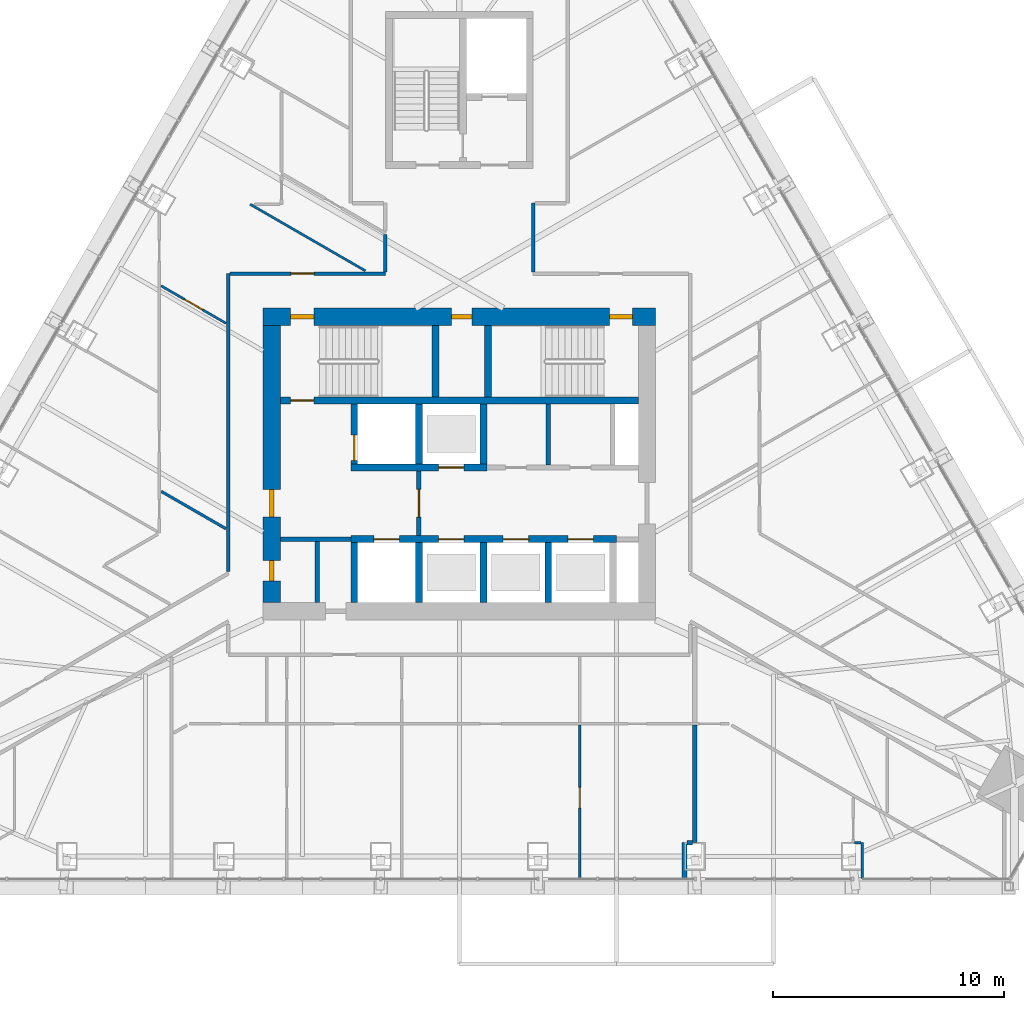
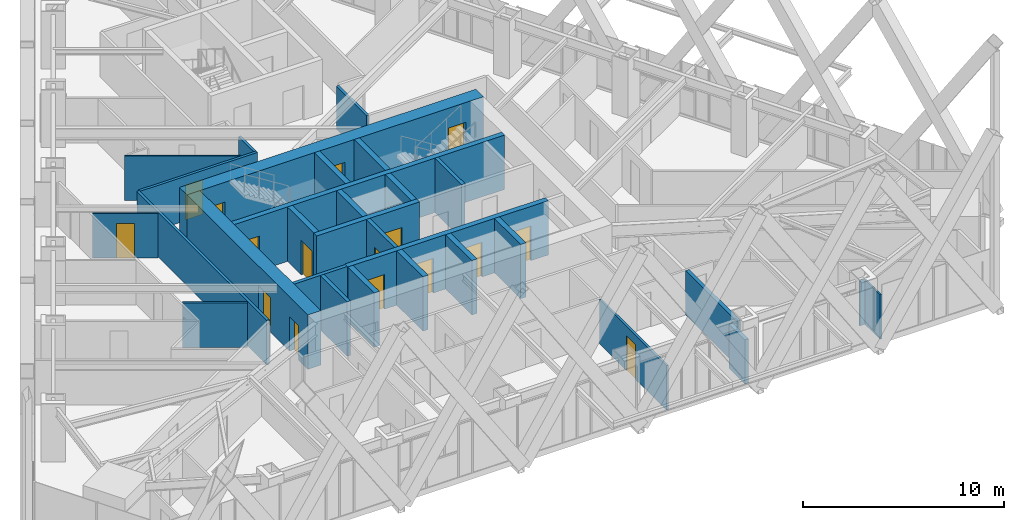
# One storey, part 19 of 24: 31 walls, 16 doors, 16 openings.
"""IFC4 building model written with IfcOpenShell, lengths in metres."""

from ifc_helpers import new_model, si_unit, direction, frame, frame_2d, origin, place, context, subcontext, project, spatial, rectangle, extrude, material, layer, layer_set, type_object, element, fill, save


model = new_model("IFC4")

# Units and contexts
model_context = context("Model", 3, precision=1e-05, world=origin(), true_north=direction((0.0, 1.0)))
body_context = subcontext(model_context, "Body", "Model", "MODEL_VIEW")
ifc_project = project(units=[si_unit("LENGTHUNIT", "METRE"), si_unit("AREAUNIT", "SQUARE_METRE"), si_unit("VOLUMEUNIT", "CUBIC_METRE"), si_unit("PLANEANGLEUNIT", "RADIAN"), si_unit("MASSUNIT", "GRAM", prefix="KILO")], contexts=[model_context])

# Site, building, storey
site_placement = place(None, origin())
site = spatial("IfcSite", under=ifc_project, at=site_placement, CompositionType="ELEMENT")
building_placement = place(site_placement, origin())
building = spatial("IfcBuilding", under=site, at=building_placement, Name="Firuza Gate Tower and Library", CompositionType="ELEMENT")
storey_placement = place(building_placement, frame((0.0, 0.0, 260.10009765625)))
storey = spatial("IfcBuildingStorey", under=building, at=storey_placement, Name="L61", CompositionType="ELEMENT", Elevation=260.10009765625)

# Walls
ifc_material_1 = material(Name="Plasterboard on steel studs", Category="steel")
ifc_layer_1 = layer(ifc_material_1, 0.199951171875)
ifc_layer_set_1 = layer_set([ifc_layer_1], Name="Core partition 200 EI 120")
wall_type_1 = type_object("IfcWallType", Name="Core partition 200 EI 120", PredefinedType="PARTITIONING", material=ifc_layer_set_1)
wall_1_placement = place(storey_placement, frame((67.25, 71.75, 0.0), z_axis=(0.0, 0.0, 1.0), x_axis=(1.0, 0.0, 0.0)))
element("IfcWall", 1, at=wall_1_placement, inside=storey, type_object=wall_type_1, Name="Core partition L61 1", PredefinedType="PARTITIONING", context=body_context, shape_type="SweptSolid", body=[
    extrude(rectangle(XDim=3.050048828125, YDim=0.199951171875, at=frame_2d((1.52490234375, 0.0))), origin(), (0.0, 0.0, 1.0), 3.2998046875),
])
wall_2_placement = place(storey_placement, frame((68.85009765625, 69.0, 0.0), z_axis=(0.0, 0.0, 1.0), x_axis=(0.0, 1.0, 0.0)))
element("IfcWall", 2, at=wall_2_placement, inside=storey, type_object=wall_type_1, Name="Core partition L61 4", PredefinedType="PARTITIONING", context=body_context, shape_type="SweptSolid", body=[
    extrude(rectangle(XDim=2.64990234375, YDim=0.199951171875, at=frame_2d((1.324951171875, 0.0))), origin(), (0.0, 0.0, 1.0), 3.2998046875),
])
wall_3_placement = place(storey_placement, frame((78.85009765625, 74.949951171875, 0.0), z_axis=(0.0, 0.0, 1.0), x_axis=(0.0, 1.0, 0.0)))
element("IfcWall", 3, at=wall_3_placement, inside=storey, type_object=wall_type_1, Name="Core partition L61 6", PredefinedType="PARTITIONING", context=body_context, shape_type="SweptSolid", body=[
    extrude(rectangle(XDim=2.650146484375, YDim=0.199951171875, at=frame_2d((1.3251953125, 0.0))), origin(), (0.0, 0.0, 1.0), 3.2998046875),
])

# Wall, opening, door
ifc_material_2 = material(Name="Plasterboard on steel studs", Category="steel")
ifc_layer_2 = layer(ifc_material_2, 0.199951171875)
ifc_layer_set_2 = layer_set([ifc_layer_2], Name="Core partition 200 EI 60")
wall_type_2 = type_object("IfcWallType", Name="Core partition 200 EI 60", PredefinedType="PARTITIONING", material=ifc_layer_set_2)
wall_4_placement = place(storey_placement, frame((73.25, 71.89990234375, 0.0), z_axis=(0.0, 0.0, 1.0), x_axis=(0.0, 1.0, 0.0)))
wall_4 = element("IfcWall", 4, at=wall_4_placement, inside=storey, type_object=wall_type_2, Name="Core partition L61 5", PredefinedType="PARTITIONING", context=body_context, shape_type="SweptSolid", body=[
    extrude(rectangle(XDim=2.800048828125, YDim=0.199951171875, at=frame_2d((1.39990234375, 0.0))), origin(), (0.0, 0.0, 1.0), 3.2998046875),
])
opening_1_placement = place(wall_4_placement, frame((0.800048828125, 0.0, 0.0)))
opening_1 = element("IfcOpeningElement", 5, at=opening_1_placement, cuts=wall_4, Name="Opening L61-K14", PredefinedType="OPENING", context=body_context, shape_type="SweptSolid", body=[
    extrude(rectangle(XDim=1.199951171875, YDim=2.10009765625, at=frame_2d((0.60009765625, 1.050048828125))), frame((0.0, 0.10986328125, 0.0), z_axis=(0.0, -1.0, 0.0), x_axis=(1.0, 0.0, 0.0)), (0.0, 0.0, 1.0), 0.219970703125),
])
ifc_material_3 = material(Name="Steel", Category="steel")
door_type_1 = type_object("IfcDoorType", Name="Fire door 1200x2100 FD90S", OperationType="NOTDEFINED", PredefinedType="DOOR", material=ifc_material_3)
door_1_placement = place(opening_1_placement, origin())
door_1 = element("IfcDoor", 6, at=door_1_placement, inside=storey, type_object=door_type_1, Name="Door L61-K14", OperationType="SINGLE_SWING_LEFT", OverallHeight=2.10009765625, OverallWidth=1.199951171875, PredefinedType="DOOR", context=body_context, shape_type="SweptSolid", body=[
    extrude(rectangle(XDim=1.199951171875, YDim=2.10009765625, at=frame_2d((0.60009765625, 1.050048828125))), frame((0.0, 0.02490234375, 0.0), z_axis=(0.0, -1.0, 0.0), x_axis=(1.0, 0.0, 0.0)), (0.0, 0.0, 1.0), 0.050048828125),
])
fill(opening_1, door_1)

# Wall, openings, doors
ifc_material_4 = material(Name="Concrete C60/75", Category="concrete")
ifc_layer_3 = layer(ifc_material_4, 0.300048828125)
ifc_layer_set_3 = layer_set([ifc_layer_3], Name="Core wall 300 C60/75")
wall_type_3 = type_object("IfcWallType", Name="Core wall 300 C60/75", PredefinedType="SHEAR", material=ifc_layer_set_3)
wall_5_placement = place(storey_placement, frame((70.300048828125, 71.75, 0.0), z_axis=(0.0, 0.0, 1.0), x_axis=(1.0, 0.0, 0.0)))
wall_5 = element("IfcWall", 7, at=wall_5_placement, inside=storey, type_object=wall_type_3, Name="Core wall L61 5", PredefinedType="SHEAR", context=body_context, shape_type="SweptSolid", body=[
    extrude(rectangle(XDim=11.5, YDim=0.300048828125, at=frame_2d((5.75, 0.0))), origin(), (0.0, 0.0, 1.0), 3.2998046875),
])
opening_2_placement = place(wall_5_placement, frame((1.0, 0.0, 0.0)))
opening_2 = element("IfcOpeningElement", 8, at=opening_2_placement, cuts=wall_5, Name="Opening LD-FF1-L61", PredefinedType="OPENING", context=body_context, shape_type="SweptSolid", body=[
    extrude(rectangle(XDim=1.10009765625, YDim=2.10009765625, at=frame_2d((0.550048828125, 1.050048828125))), frame((0.0, 0.16015625, 0.0), z_axis=(0.0, -1.0, 0.0), x_axis=(1.0, 0.0, 0.0)), (0.0, 0.0, 1.0), 0.320068359375),
])
opening_3_placement = place(wall_5_placement, frame((3.800048828125, 0.0, 0.0)))
opening_3 = element("IfcOpeningElement", 9, at=opening_3_placement, cuts=wall_5, Name="Opening LD-HR1-L61", PredefinedType="OPENING", context=body_context, shape_type="SweptSolid", body=[
    extrude(rectangle(XDim=1.10009765625, YDim=2.10009765625, at=frame_2d((0.550048828125, 1.050048828125))), frame((0.0, 0.16015625, 0.0), z_axis=(0.0, -1.0, 0.0), x_axis=(1.0, 0.0, 0.0)), (0.0, 0.0, 1.0), 0.320068359375),
])
opening_4_placement = place(wall_5_placement, frame((6.60009765625, 0.0, 0.0)))
opening_4 = element("IfcOpeningElement", 10, at=opening_4_placement, cuts=wall_5, Name="Opening LD-HR2-L61", PredefinedType="OPENING", context=body_context, shape_type="SweptSolid", body=[
    extrude(rectangle(XDim=1.10009765625, YDim=2.10009765625, at=frame_2d((0.550048828125, 1.050048828125))), frame((0.0, 0.16015625, 0.0), z_axis=(0.0, -1.0, 0.0), x_axis=(1.0, 0.0, 0.0)), (0.0, 0.0, 1.0), 0.320068359375),
])
opening_5_placement = place(wall_5_placement, frame((9.39990234375, 0.0, 0.0)))
opening_5 = element("IfcOpeningElement", 11, at=opening_5_placement, cuts=wall_5, Name="Opening LD-HR3-L61", PredefinedType="OPENING", context=body_context, shape_type="SweptSolid", body=[
    extrude(rectangle(XDim=1.10009765625, YDim=2.10009765625, at=frame_2d((0.550048828125, 1.050048828125))), frame((0.0, 0.16015625, 0.0), z_axis=(0.0, -1.0, 0.0), x_axis=(1.0, 0.0, 0.0)), (0.0, 0.0, 1.0), 0.320068359375),
])
ifc_material_5 = material(Name="Stainless steel", Category="steel")
door_type_2 = type_object("IfcDoorType", Name="Lift landing door 1100x2100", OperationType="DOUBLE_DOOR_SLIDING", PredefinedType="DOOR", material=ifc_material_5)
door_2_placement = place(opening_2_placement, origin())
door_2 = element("IfcDoor", 12, at=door_2_placement, inside=storey, type_object=door_type_2, Name="Landing door FF1 L61", OperationType="DOUBLE_DOOR_SLIDING", OverallHeight=2.10009765625, OverallWidth=1.10009765625, PredefinedType="DOOR", context=body_context, shape_type="SweptSolid", body=[
    extrude(rectangle(XDim=1.10009765625, YDim=2.10009765625, at=frame_2d((0.550048828125, 1.050048828125))), frame((0.0, 0.02490234375, 0.0), z_axis=(0.0, -1.0, 0.0), x_axis=(1.0, 0.0, 0.0)), (0.0, 0.0, 1.0), 0.050048828125),
])
fill(opening_2, door_2)
door_3_placement = place(opening_3_placement, origin())
door_3 = element("IfcDoor", 13, at=door_3_placement, inside=storey, type_object=door_type_2, Name="Landing door HR1 L61", OperationType="DOUBLE_DOOR_SLIDING", OverallHeight=2.10009765625, OverallWidth=1.10009765625, PredefinedType="DOOR", context=body_context, shape_type="SweptSolid", body=[
    extrude(rectangle(XDim=1.10009765625, YDim=2.10009765625, at=frame_2d((0.550048828125, 1.050048828125))), frame((0.0, 0.02490234375, 0.0), z_axis=(0.0, -1.0, 0.0), x_axis=(1.0, 0.0, 0.0)), (0.0, 0.0, 1.0), 0.050048828125),
])
fill(opening_3, door_3)
door_4_placement = place(opening_4_placement, origin())
door_4 = element("IfcDoor", 14, at=door_4_placement, inside=storey, type_object=door_type_2, Name="Landing door HR2 L61", OperationType="DOUBLE_DOOR_SLIDING", OverallHeight=2.10009765625, OverallWidth=1.10009765625, PredefinedType="DOOR", context=body_context, shape_type="SweptSolid", body=[
    extrude(rectangle(XDim=1.10009765625, YDim=2.10009765625, at=frame_2d((0.550048828125, 1.050048828125))), frame((0.0, 0.02490234375, 0.0), z_axis=(0.0, -1.0, 0.0), x_axis=(1.0, 0.0, 0.0)), (0.0, 0.0, 1.0), 0.050048828125),
])
fill(opening_4, door_4)
door_5_placement = place(opening_5_placement, origin())
door_5 = element("IfcDoor", 15, at=door_5_placement, inside=storey, type_object=door_type_2, Name="Landing door HR3 L61", OperationType="DOUBLE_DOOR_SLIDING", OverallHeight=2.10009765625, OverallWidth=1.10009765625, PredefinedType="DOOR", context=body_context, shape_type="SweptSolid", body=[
    extrude(rectangle(XDim=1.10009765625, YDim=2.10009765625, at=frame_2d((0.550048828125, 1.050048828125))), frame((0.0, 0.02490234375, 0.0), z_axis=(0.0, -1.0, 0.0), x_axis=(1.0, 0.0, 0.0)), (0.0, 0.0, 1.0), 0.050048828125),
])
fill(opening_5, door_5)

# Wall, opening, door
wall_6_placement = place(storey_placement, frame((70.300048828125, 74.85009765625, 0.0), z_axis=(0.0, 0.0, 1.0), x_axis=(1.0, 0.0, 0.0)))
wall_6 = element("IfcWall", 16, at=wall_6_placement, inside=storey, type_object=wall_type_3, Name="Core wall L61 6", PredefinedType="SHEAR", context=body_context, shape_type="SweptSolid", body=[
    extrude(rectangle(XDim=5.89990234375, YDim=0.300048828125, at=frame_2d((2.949951171875, 0.0))), origin(), (0.0, 0.0, 1.0), 3.2998046875),
])
opening_6_placement = place(wall_6_placement, frame((3.800048828125, 0.0, 0.0)))
opening_6 = element("IfcOpeningElement", 17, at=opening_6_placement, cuts=wall_6, Name="Opening LD-HR4-L61", PredefinedType="OPENING", context=body_context, shape_type="SweptSolid", body=[
    extrude(rectangle(XDim=1.10009765625, YDim=2.10009765625, at=frame_2d((0.550048828125, 1.050048828125))), frame((0.0, 0.16015625, 0.0), z_axis=(0.0, -1.0, 0.0), x_axis=(1.0, 0.0, 0.0)), (0.0, 0.0, 1.0), 0.320068359375),
])
door_6_placement = place(opening_6_placement, origin())
door_6 = element("IfcDoor", 18, at=door_6_placement, inside=storey, type_object=door_type_2, Name="Landing door HR4 L61", OperationType="DOUBLE_DOOR_SLIDING", OverallHeight=2.10009765625, OverallWidth=1.10009765625, PredefinedType="DOOR", context=body_context, shape_type="SweptSolid", body=[
    extrude(rectangle(XDim=1.10009765625, YDim=2.10009765625, at=frame_2d((0.550048828125, 1.050048828125))), frame((0.0, 0.02490234375, 0.0), z_axis=(0.0, -1.0, 0.0), x_axis=(1.0, 0.0, 0.0)), (0.0, 0.0, 1.0), 0.050048828125),
])
fill(opening_6, door_6)

# Wall
wall_7_placement = place(storey_placement, frame((70.449951171875, 69.0, 0.0), z_axis=(0.0, 0.0, 1.0), x_axis=(0.0, 1.0, 0.0)))
element("IfcWall", 19, at=wall_7_placement, inside=storey, type_object=wall_type_3, Name="Core wall L61 7", PredefinedType="SHEAR", context=body_context, shape_type="SweptSolid", body=[
    extrude(rectangle(XDim=2.60009765625, YDim=0.300048828125, at=frame_2d((1.300048828125, 0.0))), origin(), (0.0, 0.0, 1.0), 3.2998046875),
])

# Wall, opening, door
wall_8_placement = place(storey_placement, frame((70.449951171875, 75.0, 0.0), z_axis=(0.0, 0.0, 1.0), x_axis=(0.0, 1.0, 0.0)))
wall_8 = element("IfcWall", 20, at=wall_8_placement, inside=storey, type_object=wall_type_3, Name="Core wall L61 8", PredefinedType="SHEAR", context=body_context, shape_type="SweptSolid", body=[
    extrude(rectangle(XDim=2.60009765625, YDim=0.300048828125, at=frame_2d((1.300048828125, 0.0))), origin(), (0.0, 0.0, 1.0), 3.2998046875),
])
opening_7_placement = place(wall_8_placement, frame((0.14990234375, 0.0, 0.0)))
opening_7 = element("IfcOpeningElement", 21, at=opening_7_placement, cuts=wall_8, Name="Opening LD-FF2-L61", PredefinedType="OPENING", context=body_context, shape_type="SweptSolid", body=[
    extrude(rectangle(XDim=1.10009765625, YDim=2.10009765625, at=frame_2d((0.550048828125, 1.050048828125))), frame((0.0, 0.16015625, 0.0), z_axis=(0.0, -1.0, 0.0), x_axis=(1.0, 0.0, 0.0)), (0.0, 0.0, 1.0), 0.320068359375),
])
door_7_placement = place(opening_7_placement, origin())
door_7 = element("IfcDoor", 22, at=door_7_placement, inside=storey, type_object=door_type_2, Name="Landing door FF2 L61", OperationType="DOUBLE_DOOR_SLIDING", OverallHeight=2.10009765625, OverallWidth=1.10009765625, PredefinedType="DOOR", context=body_context, shape_type="SweptSolid", body=[
    extrude(rectangle(XDim=1.10009765625, YDim=2.10009765625, at=frame_2d((0.550048828125, 1.050048828125))), frame((0.0, 0.02490234375, 0.0), z_axis=(0.0, -1.0, 0.0), x_axis=(1.0, 0.0, 0.0)), (0.0, 0.0, 1.0), 0.050048828125),
])
fill(opening_7, door_7)

# Walls
for number, where, z_axis, x_axis, name in (
    (23, (73.25, 69.0, 0.0), (0.0, 0.0, 1.0), (0.0, 1.0, 0.0), "Core wall L61 9"),
    (24, (73.25, 75.0, 0.0), (0.0, 0.0, 1.0), (0.0, 1.0, 0.0), "Core wall L61 10"),
    (25, (76.050048828125, 69.0, 0.0), (0.0, 0.0, 1.0), (0.0, 1.0, 0.0), "Core wall L61 11"),
    (26, (76.050048828125, 75.0, 0.0), (0.0, 0.0, 1.0), (0.0, 1.0, 0.0), "Core wall L61 12"),
    (27, (78.85009765625, 69.0, 0.0), (0.0, 0.0, 1.0), (0.0, 1.0, 0.0), "Core wall L61 13"),
):
    element("IfcWall", number, at=place(storey_placement, frame(where, z_axis=z_axis, x_axis=x_axis)), inside=storey, type_object=wall_type_3, Name=name, PredefinedType="SHEAR", context=body_context, shape_type="SweptSolid", body=[
        extrude(rectangle(XDim=2.60009765625, YDim=0.300048828125, at=frame_2d((1.300048828125, 0.0))), origin(), (0.0, 0.0, 1.0), 3.2998046875),
    ])

# Wall, opening, door
wall_9_placement = place(storey_placement, frame((67.25, 77.75, 0.0), z_axis=(0.0, 0.0, 1.0), x_axis=(1.0, 0.0, 0.0)))
wall_9 = element("IfcWall", 28, at=wall_9_placement, inside=storey, type_object=wall_type_3, Name="Core wall L61 15", PredefinedType="SHEAR", context=body_context, shape_type="SweptSolid", body=[
    extrude(rectangle(XDim=15.5, YDim=0.300048828125, at=frame_2d((7.75, 0.0))), origin(), (0.0, 0.0, 1.0), 3.2998046875),
])
opening_8_placement = place(wall_9_placement, frame((0.445068359375, 0.0, 0.0)))
opening_8 = element("IfcOpeningElement", 29, at=opening_8_placement, cuts=wall_9, Name="Opening L61-K08", PredefinedType="OPENING", context=body_context, shape_type="SweptSolid", body=[
    extrude(rectangle(XDim=1.0, YDim=2.10009765625, at=frame_2d((0.5, 1.050048828125))), frame((0.0, 0.16015625, 0.0), z_axis=(0.0, -1.0, 0.0), x_axis=(1.0, 0.0, 0.0)), (0.0, 0.0, 1.0), 0.320068359375),
])
ifc_material_6 = material(Name="Steel", Category="steel")
door_type_3 = type_object("IfcDoorType", Name="Fire door 1000x2100 FD90", OperationType="NOTDEFINED", PredefinedType="DOOR", material=ifc_material_6)
door_8_placement = place(opening_8_placement, origin())
door_8 = element("IfcDoor", 30, at=door_8_placement, inside=storey, type_object=door_type_3, Name="Door L61-K08", OperationType="SINGLE_SWING_LEFT", OverallHeight=2.10009765625, OverallWidth=1.0, PredefinedType="DOOR", context=body_context, shape_type="SweptSolid", body=[
    extrude(rectangle(XDim=1.0, YDim=2.10009765625, at=frame_2d((0.5, 1.050048828125))), frame((0.0, 0.02490234375, 0.0), z_axis=(0.0, -1.0, 0.0), x_axis=(1.0, 0.0, 0.0)), (0.0, 0.0, 1.0), 0.050048828125),
])
fill(opening_8, door_8)

# Walls
for number, where, z_axis, x_axis, name in (
    (31, (73.9599609375, 77.89990234375, 0.0), (0.0, 0.0, 1.0), (0.0, 1.0, 0.0), "Core wall L61 16"),
    (32, (76.239990234375, 77.89990234375, 0.0), (0.0, 0.0, 1.0), (0.0, 1.0, 0.0), "Core wall L61 17"),
):
    element("IfcWall", number, at=place(storey_placement, frame(where, z_axis=z_axis, x_axis=x_axis)), inside=storey, type_object=wall_type_3, Name=name, PredefinedType="SHEAR", context=body_context, shape_type="SweptSolid", body=[
        extrude(rectangle(XDim=3.10009765625, YDim=0.300048828125, at=frame_2d((1.550048828125, 0.0))), origin(), (0.0, 0.0, 1.0), 3.2998046875),
    ])

# Wall, openings, doors
ifc_material_7 = material(Name="Concrete C60/75", Category="concrete")
ifc_layer_4 = layer(ifc_material_7, 0.75)
ifc_layer_set_4 = layer_set([ifc_layer_4], Name="Core wall 750 C60/75")
wall_type_4 = type_object("IfcWallType", Name="Core wall 750 C60/75", PredefinedType="SHEAR", material=ifc_layer_set_4)
wall_10_placement = place(storey_placement, frame((66.5, 81.375, 0.0), z_axis=(0.0, 0.0, 1.0), x_axis=(1.0, 0.0, 0.0)))
wall_10 = element("IfcWall", 33, at=wall_10_placement, inside=storey, type_object=wall_type_4, Name="Core wall L61 2", PredefinedType="SHEAR", context=body_context, shape_type="SweptSolid", body=[
    extrude(rectangle(XDim=17.0, YDim=0.75, at=frame_2d((8.5, 0.0))), origin(), (0.0, 0.0, 1.0), 3.2998046875),
])
opening_9_placement = place(wall_10_placement, frame((1.195068359375, 0.0, 0.0)))
opening_9 = element("IfcOpeningElement", 34, at=opening_9_placement, cuts=wall_10, Name="Opening L61-K09", PredefinedType="OPENING", context=body_context, shape_type="SweptSolid", body=[
    extrude(rectangle(XDim=1.0, YDim=2.10009765625, at=frame_2d((0.5, 1.050048828125))), frame((0.0, 0.385009765625, 0.0), z_axis=(0.0, -1.0, 0.0), x_axis=(1.0, 0.0, 0.0)), (0.0, 0.0, 1.0), 0.77001953125),
])
opening_10_placement = place(wall_10_placement, frame((15.0048828125, 0.0, 0.0)))
opening_10 = element("IfcOpeningElement", 35, at=opening_10_placement, cuts=wall_10, Name="Opening L61-K10", PredefinedType="OPENING", context=body_context, shape_type="SweptSolid", body=[
    extrude(rectangle(XDim=1.0, YDim=2.10009765625, at=frame_2d((0.5, 1.050048828125))), frame((0.0, 0.385009765625, 0.0), z_axis=(0.0, -1.0, 0.0), x_axis=(1.0, 0.0, 0.0)), (0.0, 0.0, 1.0), 0.77001953125),
])
opening_11_placement = place(wall_10_placement, frame((8.14990234375, 0.0, 0.0)))
opening_11 = element("IfcOpeningElement", 36, at=opening_11_placement, cuts=wall_10, Name="Opening L61-K21", PredefinedType="OPENING", context=body_context, shape_type="SweptSolid", body=[
    extrude(rectangle(XDim=0.89990234375, YDim=2.10009765625, at=frame_2d((0.449951171875, 1.050048828125))), frame((0.0, 0.385009765625, 0.0), z_axis=(0.0, -1.0, 0.0), x_axis=(1.0, 0.0, 0.0)), (0.0, 0.0, 1.0), 0.77001953125),
])
door_9_placement = place(opening_9_placement, origin())
door_9 = element("IfcDoor", 37, at=door_9_placement, inside=storey, type_object=door_type_3, Name="Door L61-K09", OperationType="SINGLE_SWING_RIGHT", OverallHeight=2.10009765625, OverallWidth=1.0, PredefinedType="DOOR", context=body_context, shape_type="SweptSolid", body=[
    extrude(rectangle(XDim=1.0, YDim=2.10009765625, at=frame_2d((0.5, 1.050048828125))), frame((0.0, 0.094970703125, 0.0), z_axis=(0.0, -1.0, 0.0), x_axis=(1.0, 0.0, 0.0)), (0.0, 0.0, 1.0), 0.18994140625),
])
fill(opening_9, door_9)
door_10_placement = place(opening_10_placement, origin())
door_10 = element("IfcDoor", 38, at=door_10_placement, inside=storey, type_object=door_type_3, Name="Door L61-K10", OperationType="SINGLE_SWING_LEFT", OverallHeight=2.10009765625, OverallWidth=1.0, PredefinedType="DOOR", context=body_context, shape_type="SweptSolid", body=[
    extrude(rectangle(XDim=1.0, YDim=2.10009765625, at=frame_2d((0.5, 1.050048828125))), frame((0.0, 0.094970703125, 0.0), z_axis=(0.0, -1.0, 0.0), x_axis=(1.0, 0.0, 0.0)), (0.0, 0.0, 1.0), 0.18994140625),
])
fill(opening_10, door_10)
ifc_material_8 = material(Name="Steel", Category="steel")
door_type_4 = type_object("IfcDoorType", Name="Fire door 900x2100 FD30S", OperationType="NOTDEFINED", PredefinedType="DOOR", material=ifc_material_8)
door_11_placement = place(opening_11_placement, origin())
door_11 = element("IfcDoor", 39, at=door_11_placement, inside=storey, type_object=door_type_4, Name="Door L61-K21", OperationType="SINGLE_SWING_RIGHT", OverallHeight=2.10009765625, OverallWidth=0.89990234375, PredefinedType="DOOR", context=body_context, shape_type="SweptSolid", body=[
    extrude(rectangle(XDim=0.89990234375, YDim=2.10009765625, at=frame_2d((0.449951171875, 1.050048828125))), frame((0.0, 0.094970703125, 0.0), z_axis=(0.0, -1.0, 0.0), x_axis=(1.0, 0.0, 0.0)), (0.0, 0.0, 1.0), 0.18994140625),
])
fill(opening_11, door_11)

wall_11_placement = place(storey_placement, frame((66.875, 69.0, 0.0), z_axis=(0.0, 0.0, 1.0), x_axis=(0.0, 1.0, 0.0)))
wall_11 = element("IfcWall", 40, at=wall_11_placement, inside=storey, type_object=wall_type_4, Name="Core wall L61 3", PredefinedType="SHEAR", context=body_context, shape_type="SweptSolid", body=[
    extrude(rectangle(XDim=12.0, YDim=0.75, at=frame_2d((6.0, 0.0))), origin(), (0.0, 0.0, 1.0), 3.2998046875),
])
opening_12_placement = place(wall_11_placement, frame((3.699951171875, 0.0, 0.0)))
opening_12 = element("IfcOpeningElement", 41, at=opening_12_placement, cuts=wall_11, Name="Opening L61-K15", PredefinedType="OPENING", context=body_context, shape_type="SweptSolid", body=[
    extrude(rectangle(XDim=1.199951171875, YDim=2.10009765625, at=frame_2d((0.60009765625, 1.050048828125))), frame((0.0, 0.385009765625, 0.0), z_axis=(0.0, -1.0, 0.0), x_axis=(1.0, 0.0, 0.0)), (0.0, 0.0, 1.0), 0.77001953125),
])
opening_13_placement = place(wall_11_placement, frame((0.925048828125, 0.0, 0.0)))
opening_13 = element("IfcOpeningElement", 42, at=opening_13_placement, cuts=wall_11, Name="Opening L61-K17", PredefinedType="OPENING", context=body_context, shape_type="SweptSolid", body=[
    extrude(rectangle(XDim=0.89990234375, YDim=2.10009765625, at=frame_2d((0.449951171875, 1.050048828125))), frame((0.0, 0.385009765625, 0.0), z_axis=(0.0, -1.0, 0.0), x_axis=(1.0, 0.0, 0.0)), (0.0, 0.0, 1.0), 0.77001953125),
])
door_12_placement = place(opening_12_placement, origin())
door_12 = element("IfcDoor", 43, at=door_12_placement, inside=storey, type_object=door_type_1, Name="Door L61-K15", OperationType="SINGLE_SWING_RIGHT", OverallHeight=2.10009765625, OverallWidth=1.199951171875, PredefinedType="DOOR", context=body_context, shape_type="SweptSolid", body=[
    extrude(rectangle(XDim=1.199951171875, YDim=2.10009765625, at=frame_2d((0.60009765625, 1.050048828125))), frame((0.0, 0.094970703125, 0.0), z_axis=(0.0, -1.0, 0.0), x_axis=(1.0, 0.0, 0.0)), (0.0, 0.0, 1.0), 0.18994140625),
])
fill(opening_12, door_12)
door_13_placement = place(opening_13_placement, origin())
door_13 = element("IfcDoor", 44, at=door_13_placement, inside=storey, type_object=door_type_4, Name="Door L61-K17", OperationType="SINGLE_SWING_RIGHT", OverallHeight=2.10009765625, OverallWidth=0.89990234375, PredefinedType="DOOR", context=body_context, shape_type="SweptSolid", body=[
    extrude(rectangle(XDim=0.89990234375, YDim=2.10009765625, at=frame_2d((0.449951171875, 1.050048828125))), frame((0.0, 0.094970703125, 0.0), z_axis=(0.0, -1.0, 0.0), x_axis=(1.0, 0.0, 0.0)), (0.0, 0.0, 1.0), 0.18994140625),
])
fill(opening_13, door_13)

# Wall, opening, door
ifc_material_9 = material(Name="Gypsum board partition")
ifc_layer_5 = layer(ifc_material_9, 0.14990234375)
ifc_layer_set_5 = layer_set([ifc_layer_5], Name="Corridor wall 150 double board on steel studs")
wall_type_5 = type_object("IfcWallType", Name="Corridor wall 150 double board on steel studs", PredefinedType="PARTITIONING", material=ifc_layer_set_5)
wall_12_placement = place(storey_placement, frame((65.075439453125, 83.25, 0.0), z_axis=(0.0, 0.0, 1.0), x_axis=(1.0, 0.0, 0.0)))
wall_12 = element("IfcWall", 45, at=wall_12_placement, inside=storey, type_object=wall_type_5, Name="f:L61:w004", PredefinedType="PARTITIONING", context=body_context, shape_type="SweptSolid", body=[
    extrude(rectangle(XDim=6.724609375, YDim=0.14990234375, at=frame_2d((3.3623046875, 0.0))), origin(), (0.0, 0.0, 1.0), 2.699951171875),
])
opening_14_placement = place(wall_12_placement, frame((2.63232421875, 0.0, 0.0)))
opening_14 = element("IfcOpeningElement", 46, at=opening_14_placement, cuts=wall_12, Name="Opening L61-07", PredefinedType="OPENING", context=body_context, shape_type="SweptSolid", body=[
    extrude(rectangle(XDim=1.0, YDim=2.10009765625, at=frame_2d((0.5, 1.050048828125))), frame((0.0, 0.0849609375, 0.0), z_axis=(0.0, -1.0, 0.0), x_axis=(1.0, 0.0, 0.0)), (0.0, 0.0, 1.0), 0.169921875),
])
ifc_material_10 = material(Name="Steel door and timber leaf", Category="steel")
door_type_5 = type_object("IfcDoorType", Name="Fire door 1000 x 2100 steel frame, timber leaf", OperationType="NOTDEFINED", PredefinedType="DOOR", material=ifc_material_10)
door_14_placement = place(opening_14_placement, origin())
door_14 = element("IfcDoor", 47, at=door_14_placement, inside=storey, type_object=door_type_5, Name="f:L61:d007", OperationType="SINGLE_SWING_LEFT", OverallHeight=2.10009765625, OverallWidth=1.0, PredefinedType="DOOR", context=body_context, shape_type="SweptSolid", body=[
    extrude(rectangle(XDim=1.0, YDim=2.10009765625, at=frame_2d((0.5, 1.050048828125))), frame((0.0, 0.02490234375, 0.0), z_axis=(0.0, -1.0, 0.0), x_axis=(1.0, 0.0, 0.0)), (0.0, 0.0, 1.0), 0.050048828125),
])
fill(opening_14, door_14)

# Walls
wall_13_placement = place(storey_placement, frame((78.199951171875, 83.324951171875, 0.0), z_axis=(0.0, 0.0, 1.0), x_axis=(0.0, 1.0, 0.0)))
element("IfcWall", 48, at=wall_13_placement, inside=storey, type_object=wall_type_5, Name="f:L61:w045", PredefinedType="PARTITIONING", context=body_context, shape_type="SweptSolid", body=[
    extrude(rectangle(XDim=2.97509765625, YDim=0.14990234375, at=frame_2d((1.487548828125, 0.0))), origin(), (0.0, 0.0, 1.0), 2.621826171875),
])
wall_14_placement = place(storey_placement, frame((71.800048828125, 83.324951171875, 0.0), z_axis=(0.0, 0.0, 1.0), x_axis=(0.0, 1.0, 0.0)))
element("IfcWall", 49, at=wall_14_placement, inside=storey, type_object=wall_type_5, Name="f:L61:w051", PredefinedType="PARTITIONING", context=body_context, shape_type="SweptSolid", body=[
    extrude(rectangle(XDim=1.61376953125, YDim=0.14990234375, at=frame_2d((0.806884765625, 0.0))), origin(), (0.0, 0.0, 1.0), 2.621826171875),
])
wall_15_placement = place(storey_placement, frame((65.0, 70.352294921875, 0.0), z_axis=(0.0, 0.0, 1.0), x_axis=(0.0, 1.0, 0.0)))
element("IfcWall", 50, at=wall_15_placement, inside=storey, type_object=wall_type_5, Name="f:L61:w057", PredefinedType="PARTITIONING", context=body_context, shape_type="SweptSolid", body=[
    extrude(rectangle(XDim=12.897216796875, YDim=0.14990234375, at=frame_2d((6.44873046875, 0.0))), origin(), (0.0, 0.0, 1.0), 2.699951171875),
])
ifc_material_11 = material(Name="Gypsum board partition")
ifc_layer_6 = layer(ifc_material_11, 0.199951171875)
ifc_layer_set_6 = layer_set([ifc_layer_6], Name="Demising wall 200 acoustic double stud")
wall_type_6 = type_object("IfcWallType", Name="Demising wall 200 acoustic double stud", PredefinedType="PARTITIONING", material=ifc_layer_set_6)
wall_16_placement = place(storey_placement, frame((84.8505859375, 58.60205078125, 0.0), z_axis=(0.0, 0.0, 1.0), x_axis=(1.0, 0.0, 0.0)))
element("IfcWall", 51, at=wall_16_placement, inside=storey, type_object=wall_type_6, Name="f:L61:w000", PredefinedType="PARTITIONING", context=body_context, shape_type="SweptSolid", body=[
    extrude(rectangle(XDim=0.2490234375, YDim=0.199951171875, at=frame_2d((0.12451171875, 0.0))), origin(), (0.0, 0.0, 1.0), 2.699951171875),
])
wall_17_placement = place(storey_placement, frame((85.199951171875, 58.6025390625, 0.0), z_axis=(0.0, 0.0, 1.0), x_axis=(0.0, 1.0, 0.0)))
element("IfcWall", 52, at=wall_17_placement, inside=storey, type_object=wall_type_6, Name="f:L61:w038", PredefinedType="PARTITIONING", context=body_context, shape_type="SweptSolid", body=[
    extrude(rectangle(XDim=5.08740234375, YDim=0.199951171875, at=frame_2d((2.543701171875, 0.0))), origin(), (0.0, 0.0, 1.0), 2.699951171875),
])
wall_18_placement = place(storey_placement, frame((84.75, 57.042236328125, 0.0), z_axis=(0.0, 0.0, 1.0), x_axis=(0.0, 1.0, 0.0)))
element("IfcWall", 53, at=wall_18_placement, inside=storey, type_object=wall_type_6, Name="f:L61:w041", PredefinedType="PARTITIONING", context=body_context, shape_type="SweptSolid", body=[
    extrude(rectangle(XDim=1.559326171875, YDim=0.199951171875, at=frame_2d((0.77978515625, 0.0))), origin(), (0.0, 0.0, 1.0), 2.68798828125),
])
ifc_material_12 = material(Name="Gypsum board partition")
ifc_layer_7 = layer(ifc_material_12, 0.10009765625)
ifc_layer_set_7 = layer_set([ifc_layer_7], Name="Partition 100 gypsum board on steel studs")
wall_type_7 = type_object("IfcWallType", Name="Partition 100 gypsum board on steel studs", PredefinedType="PARTITIONING", material=ifc_layer_set_7)
wall_19_placement = place(storey_placement, frame((92.1142578125, 58.60205078125, 0.0), z_axis=(0.0, 0.0, 1.0), x_axis=(1.0, 0.0, 0.0)))
element("IfcWall", 54, at=wall_19_placement, inside=storey, type_object=wall_type_7, Name="f:L61:w001", PredefinedType="PARTITIONING", context=body_context, shape_type="SweptSolid", body=[
    extrude(rectangle(XDim=0.28564453125, YDim=0.10009765625, at=frame_2d((0.142822265625, 0.0))), origin(), (0.0, 0.0, 1.0), 2.699951171875),
])
wall_20_placement = place(storey_placement, frame((92.449951171875, 57.042236328125, 0.0), z_axis=(0.0, 0.0, 1.0), x_axis=(0.0, 1.0, 0.0)))
element("IfcWall", 55, at=wall_20_placement, inside=storey, type_object=wall_type_7, Name="f:L61:w035", PredefinedType="PARTITIONING", context=body_context, shape_type="SweptSolid", body=[
    extrude(rectangle(XDim=1.559814453125, YDim=0.10009765625, at=frame_2d((0.77978515625, 0.0))), origin(), (0.0, 0.0, 1.0), 2.699951171875),
])
wall_21_placement = place(storey_placement, frame((70.92919921875, 83.369873046875, 0.0), z_axis=(0.0, 0.0, 1.0), x_axis=(-0.866032366698, 0.499987939687, 0.0)))
element("IfcWall", 56, at=wall_21_placement, inside=storey, type_object=wall_type_7, Name="f:L61:w067", PredefinedType="PARTITIONING", context=body_context, shape_type="SweptSolid", body=[
    extrude(rectangle(XDim=5.758056640625, YDim=0.10009765625, at=frame_2d((2.87890625, 0.0))), origin(), (0.0, 0.0, 1.0), 2.699951171875),
])

# Wall, opening, door
wall_22_placement = place(storey_placement, frame((64.899169921875, 81.093994140625, 0.0), z_axis=(0.0, 0.0, 1.0), x_axis=(-0.866032882975, 0.499987045439, 0.0)))
wall_22 = element("IfcWall", 57, at=wall_22_placement, inside=storey, type_object=wall_type_7, Name="f:L61:w072", PredefinedType="PARTITIONING", context=body_context, shape_type="SweptSolid", body=[
    extrude(rectangle(XDim=3.248046875, YDim=0.10009765625, at=frame_2d((1.6240234375, 0.0))), origin(), (0.0, 0.0, 1.0), 2.699951171875),
])
opening_15_placement = place(wall_22_placement, frame((1.174072265625, 0.0, 0.0)))
opening_15 = element("IfcOpeningElement", 58, at=opening_15_placement, cuts=wall_22, Name="Opening L61-33", PredefinedType="OPENING", context=body_context, shape_type="SweptSolid", body=[
    extrude(rectangle(XDim=0.89990234375, YDim=2.10009765625, at=frame_2d((0.449951171875, 1.050048828125))), frame((0.0, 0.06005859375, 0.0), z_axis=(0.0, -1.0, 0.0), x_axis=(1.0, 0.0, 0.0)), (0.0, 0.0, 1.0), 0.1201171875),
])
ifc_material_13 = material(Name="Timber door", Category="wood")
door_type_6 = type_object("IfcDoorType", Name="Door 900 x 2100 timber leaf", OperationType="NOTDEFINED", PredefinedType="DOOR", material=ifc_material_13)
door_15_placement = place(opening_15_placement, origin())
door_15 = element("IfcDoor", 59, at=door_15_placement, inside=storey, type_object=door_type_6, Name="f:L61:d033", OperationType="SINGLE_SWING_RIGHT", OverallHeight=2.10009765625, OverallWidth=0.89990234375, PredefinedType="DOOR", context=body_context, shape_type="SweptSolid", body=[
    extrude(rectangle(XDim=0.89990234375, YDim=2.10009765625, at=frame_2d((0.449951171875, 1.050048828125))), frame((0.0, 0.02490234375, 0.0), z_axis=(0.0, -1.0, 0.0), x_axis=(1.0, 0.0, 0.0)), (0.0, 0.0, 1.0), 0.050048828125),
])
fill(opening_15, door_15)

ifc_material_14 = material(Name="Gypsum board partition")
ifc_layer_8 = layer(ifc_material_14, 0.1201171875)
ifc_layer_set_8 = layer_set([ifc_layer_8], Name="Wet-area partition 120 moisture-resistant board")
wall_type_8 = type_object("IfcWallType", Name="Wet-area partition 120 moisture-resistant board", PredefinedType="PARTITIONING", material=ifc_layer_set_8)
wall_23_placement = place(storey_placement, frame((80.212890625, 63.68994140625, 0.0), z_axis=(0.0, 0.0, 1.0), x_axis=(0.0, -1.0, 0.0)))
wall_23 = element("IfcWall", 60, at=wall_23_placement, inside=storey, type_object=wall_type_8, Name="f:L61:w042", PredefinedType="PARTITIONING", context=body_context, shape_type="SweptSolid", body=[
    extrude(rectangle(XDim=6.647705078125, YDim=0.1201171875, at=frame_2d((3.32373046875, 0.0))), origin(), (0.0, 0.0, 1.0), 2.68798828125),
])
opening_16_placement = place(wall_23_placement, frame((2.69384765625, 0.0, 0.0)))
opening_16 = element("IfcOpeningElement", 61, at=opening_16_placement, cuts=wall_23, Name="Opening L61-22", PredefinedType="OPENING", context=body_context, shape_type="SweptSolid", body=[
    extrude(rectangle(XDim=0.89990234375, YDim=2.10009765625, at=frame_2d((0.449951171875, 1.050048828125))), frame((0.0, 0.070068359375, 0.0), z_axis=(0.0, -1.0, 0.0), x_axis=(1.0, 0.0, 0.0)), (0.0, 0.0, 1.0), 0.14013671875),
])
door_16_placement = place(opening_16_placement, origin())
door_16 = element("IfcDoor", 62, at=door_16_placement, inside=storey, type_object=door_type_6, Name="f:L61:d022", OperationType="SINGLE_SWING_LEFT", OverallHeight=2.10009765625, OverallWidth=0.89990234375, PredefinedType="DOOR", context=body_context, shape_type="SweptSolid", body=[
    extrude(rectangle(XDim=0.89990234375, YDim=2.10009765625, at=frame_2d((0.449951171875, 1.050048828125))), frame((0.0, 0.02490234375, 0.0), z_axis=(0.0, -1.0, 0.0), x_axis=(1.0, 0.0, 0.0)), (0.0, 0.0, 1.0), 0.050048828125),
])
fill(opening_16, door_16)

# Wall
wall_24_placement = place(storey_placement, frame((64.890380859375, 72.19970703125, 0.0), z_axis=(0.0, 0.0, 1.0), x_axis=(-0.866033195618, 0.499986503906, 0.0)))
element("IfcWall", 63, at=wall_24_placement, inside=storey, type_object=wall_type_8, Name="f:L61:w079", PredefinedType="PARTITIONING", context=body_context, shape_type="SweptSolid", body=[
    extrude(rectangle(XDim=3.22802734375, YDim=0.1201171875, at=frame_2d((1.614013671875, 0.0))), origin(), (0.0, 0.0, 1.0), 2.699951171875),
])

save(model, "model.ifc")
